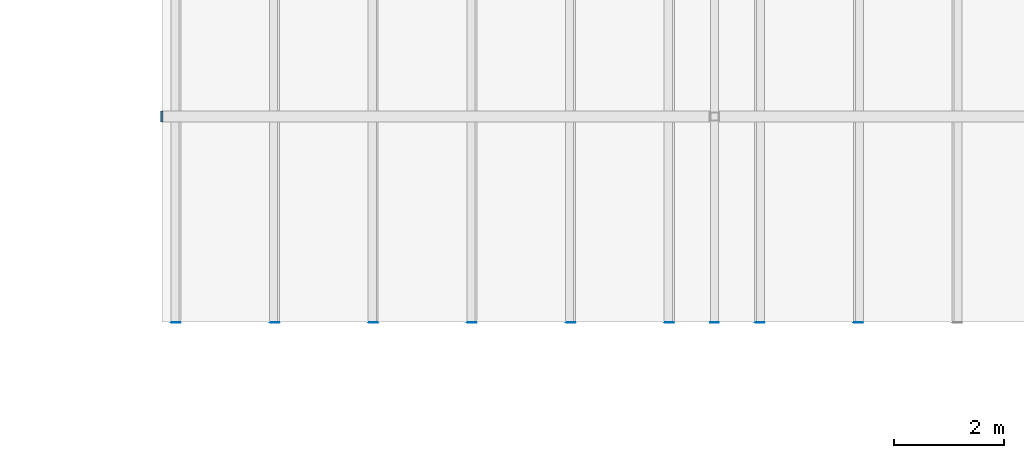
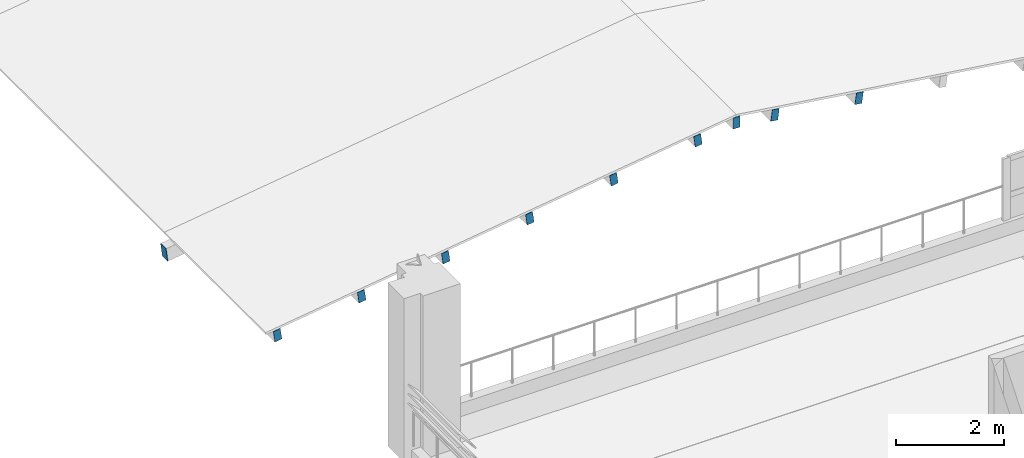
# One storey, part 34 of 52: 10 discrete accessories.
"""IFC4 building model written with IfcOpenShell, lengths in metres."""

from ifc_helpers import new_model, si_unit, direction, frame, origin, origin_2d, place, context, subcontext, project, spatial, rectangle, extrude, material, material_profile, profile_set, type_object, element, save


model = new_model("IFC4")

# Units and contexts
model_context = context("Model", 3, precision=1e-05, world=origin(), true_north=direction((0.0, 1.0)))
body_context = subcontext(model_context, "Body", "Model", "MODEL_VIEW")
ifc_project = project(units=[si_unit("LENGTHUNIT", "METRE"), si_unit("AREAUNIT", "SQUARE_METRE"), si_unit("VOLUMEUNIT", "CUBIC_METRE"), si_unit("PLANEANGLEUNIT", "RADIAN"), si_unit("MASSUNIT", "GRAM", prefix="KILO")], contexts=[model_context])

# Site, building, storey
site_placement = place(None, origin())
site = spatial("IfcSite", under=ifc_project, at=site_placement, CompositionType="ELEMENT")
building_placement = place(site_placement, origin())
building = spatial("IfcBuilding", under=site, at=building_placement, Name="Cour d'Honneur Mobility Palace", CompositionType="ELEMENT")
storey_placement = place(building_placement, frame((0.0, 0.0, 23.0)))
storey = spatial("IfcBuildingStorey", under=building, at=storey_placement, Name="L06", CompositionType="ELEMENT", Elevation=23.0)

# Discrete accessories
ifc_material_1 = material(Name="Steel S355", Category="steel")
ifc_material_profile_1 = material_profile(ifc_material_1, rectangle(XDim=0.14990234375, YDim=0.25, at=origin_2d()), Name="PL 250x150x10")
ifc_profile_set_1 = profile_set([ifc_material_profile_1], Name="Steel S355")
discrete_accessory_type_1 = type_object("IfcDiscreteAccessoryType", Name="End cap plate RHS 250x150x10", PredefinedType="USERDEFINED", material=ifc_profile_set_1)
for number, where, z_axis, x_axis, name in (
    (1, (143.77490234375, 66.139892578125, 0.55419921875), (0.0, 1.0, 0.0), (-0.990349673475, 0.0, -0.138591212736), "End cap plate EC-TU-S1.1-1"),
    (2, (145.574951171875, 66.139892578125, 0.80615234375), (0.0, 1.0, 0.0), (-0.990349673475, 0.0, -0.138591212736), "End cap plate EC-TU-S2.1-1"),
    (3, (147.375, 66.139892578125, 1.05810546875), (0.0, 1.0, 0.0), (-0.990349673475, 0.0, -0.138591212736), "End cap plate EC-TU-S3.1-1"),
    (4, (149.175048828125, 66.139892578125, 1.309814453125), (0.0, 1.0, 0.0), (-0.990349673475, 0.0, -0.138591212736), "End cap plate EC-TU-S4.1-1"),
    (5, (150.97509765625, 66.139892578125, 1.561767578125), (0.0, 1.0, 0.0), (-0.990349673475, 0.0, -0.138591212736), "End cap plate EC-TU-S5.1-1"),
    (6, (152.77490234375, 66.139892578125, 1.813720703125), (0.0, 1.0, 0.0), (-0.990349673475, 0.0, -0.138591212736), "End cap plate EC-TU-S6.1-1"),
    (7, (156.22509765625, 66.139892578125, 1.561767578125), (0.0, 1.0, 0.0), (-0.990349673475, 0.0, 0.138591212736), "End cap plate EC-TU-S11.1-1"),
    (8, (154.425048828125, 66.139892578125, 1.813720703125), (0.0, 1.0, 0.0), (-0.990349673475, 0.0, 0.138591212736), "End cap plate EC-TU-S12.1-1"),
    (9, (153.60009765625, 66.139892578125, 1.927978515625), (0.0, 1.0, 0.0), (-1.0, 0.0, 0.0), "End cap plate EC-TU-S13.1-1"),
):
    element("IfcDiscreteAccessory", number, at=place(storey_placement, frame(where, z_axis=z_axis, x_axis=x_axis)), inside=storey, type_object=discrete_accessory_type_1, Name=name, ObjectType="END CAP PLATE", PredefinedType="USERDEFINED", context=body_context, shape_type="SweptSolid", body=[
        extrude(rectangle(XDim=0.14990234375, YDim=0.25, at=origin_2d()), origin(), (0.0, 0.0, 1.0), 0.010009765625),
    ])
ifc_material_2 = material(Name="Steel S355", Category="steel")
ifc_material_profile_2 = material_profile(ifc_material_2, rectangle(XDim=0.199951171875, YDim=0.300048828125, at=origin_2d()), Name="PL 300x200x10")
ifc_profile_set_2 = profile_set([ifc_material_profile_2], Name="Steel S355")
discrete_accessory_type_2 = type_object("IfcDiscreteAccessoryType", Name="End cap plate RHS 300x200x12.5", PredefinedType="USERDEFINED", material=ifc_profile_set_2)
discrete_accessory_placement = place(storey_placement, frame((143.51513671875, 69.89990234375, 0.240234375), z_axis=(0.992277876714, 0.0, 0.124034734589), x_axis=(0.0, 1.0, 0.0)))
element("IfcDiscreteAccessory", 10, at=discrete_accessory_placement, inside=storey, type_object=discrete_accessory_type_2, Name="End cap plate EC-TF-S1W-1", ObjectType="END CAP PLATE", PredefinedType="USERDEFINED", context=body_context, shape_type="SweptSolid", body=[
    extrude(rectangle(XDim=0.199951171875, YDim=0.300048828125, at=origin_2d()), origin(), (0.0, 0.0, 1.0), 0.009765625),
])

save(model, "model.ifc")
